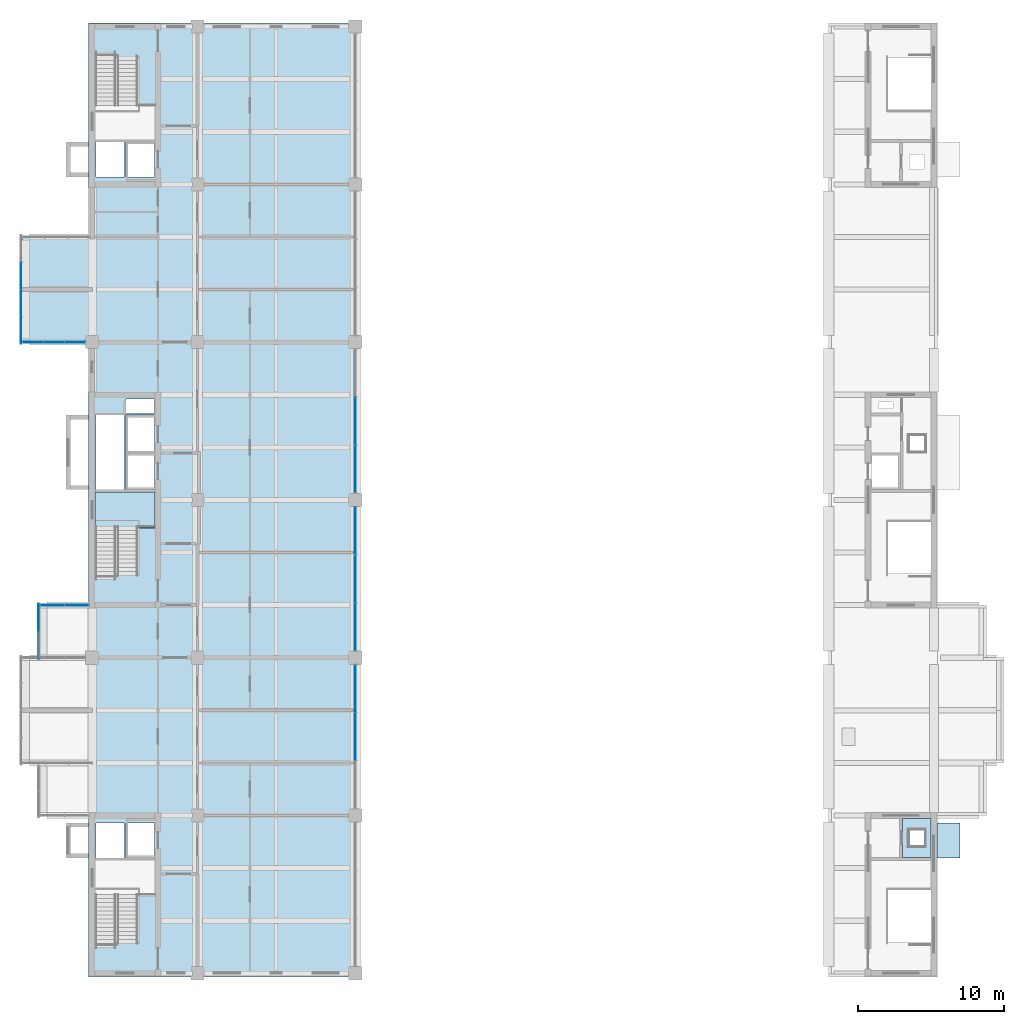
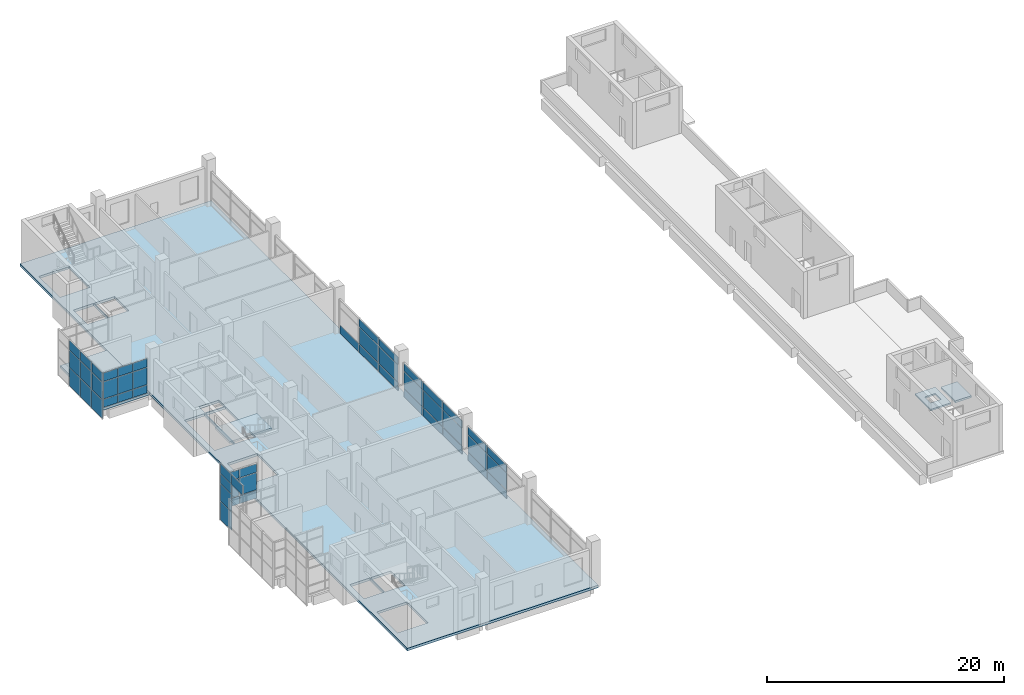
# One storey, part 13 of 23: 51 plates, 5 slabs, 8 elements without a shape of their own.
"""IFC4 building model written with IfcOpenShell, lengths in metres."""

from ifc_helpers import new_model, si_unit, direction, frame, origin, origin_2d, place, context, subcontext, project, spatial, polyline, rectangle, outline, extrude, material, layer, layer_set, type_object, element, aggregate, save


model = new_model("IFC4")

# Units and contexts
model_context = context("Model", 3, precision=1e-05, world=origin(), true_north=direction((0.0, 1.0)))
body_context = subcontext(model_context, "Body", "Model", "MODEL_VIEW")
ifc_project = project(units=[si_unit("LENGTHUNIT", "METRE"), si_unit("AREAUNIT", "SQUARE_METRE"), si_unit("VOLUMEUNIT", "CUBIC_METRE"), si_unit("PLANEANGLEUNIT", "RADIAN"), si_unit("MASSUNIT", "GRAM", prefix="KILO")], contexts=[model_context])

# Site, building, storey
site_placement = place(None, origin())
site = spatial("IfcSite", under=ifc_project, at=site_placement, CompositionType="ELEMENT")
building_placement = place(site_placement, origin())
building = spatial("IfcBuilding", under=site, at=building_placement, Name="Basin Gate Institute", CompositionType="ELEMENT")
storey_placement = place(building_placement, frame((0.0, 0.0, 46.199951171875)))
storey = spatial("IfcBuildingStorey", under=building, at=storey_placement, Name="L09", CompositionType="ELEMENT", Elevation=46.199951171875)

# Slabs
ifc_material_1 = material(Name="Concrete 40 MPa", Category="concrete")
ifc_layer_1 = layer(ifc_material_1, 0.14990234375)
ifc_layer_set_1 = layer_set([ifc_layer_1], Name="Concrete 40 MPa")
slab_type_1 = type_object("IfcSlabType", Name="Penthouse floor slab FS2 R60", PredefinedType="FLOOR", material=ifc_layer_set_1)
slab_1_placement = place(storey_placement, origin())
element("IfcSlab", 1, at=slab_1_placement, inside=storey, type_object=slab_type_1, material=ifc_layer_set_1, Name="Penthouse floor slab FS2 Exhaust Fan Room ES", PredefinedType="FLOOR", context=body_context, shape_type="SweptSolid", body=[
    extrude(outline(polyline([(116.64990234375, 43.02490234375), (118.60009765625, 43.02490234375), (118.60009765625, 45.699951171875), (116.64990234375, 45.699951171875), (116.64990234375, 43.02490234375)]), holes=[polyline([(117.125, 43.862548828125), (118.125, 43.862548828125), (118.125, 44.862548828125), (117.125, 44.862548828125), (117.125, 43.862548828125)])]), origin(), (0.0, 0.0, 1.0), 0.150146484375),
])
ifc_material_2 = material(Name="Concrete 40 MPa", Category="concrete")
ifc_layer_2 = layer(ifc_material_2, 0.199951171875)
ifc_layer_set_2 = layer_set([ifc_layer_2], Name="Concrete 40 MPa")
slab_type_2 = type_object("IfcSlabType", Name="Slab RS8 R120", PredefinedType="ROOF", material=ifc_layer_set_2)
slab_2_placement = place(storey_placement, origin())
element("IfcSlab", 2, at=slab_2_placement, inside=storey, type_object=slab_type_2, material=ifc_layer_set_2, Name="SLAB/L08/ES/SKCAP", PredefinedType="ROOF", context=body_context, shape_type="SweptSolid", body=[
    extrude(outline(polyline([(119.0, 43.0), (120.60009765625, 43.0), (120.60009765625, 45.39990234375), (119.0, 45.39990234375), (119.0, 43.0)])), origin(), (0.0, 0.0, 1.0), 0.199951171875),
])
ifc_material_3 = material(Name="Concrete 40 MPa", Category="concrete")
ifc_layer_3 = layer(ifc_material_3, 0.25)
ifc_layer_set_3 = layer_set([ifc_layer_3], Name="Concrete 40 MPa")
slab_type_3 = type_object("IfcSlabType", Name="Slab SL4 R120", PredefinedType="FLOOR", material=ifc_layer_set_3)
slab_3_placement = place(storey_placement, frame((0.0, 0.0, -0.25)))
element("IfcSlab", 3, at=slab_3_placement, inside=storey, type_object=slab_type_3, material=ifc_layer_set_3, Name="SLAB/L09/W", PredefinedType="FLOOR", context=body_context, shape_type="SweptSolid", body=[
    extrude(outline(polyline([(60.949951171875, 34.85009765625), (79.550048828125, 34.85009765625), (79.550048828125, 100.14990234375), (60.949951171875, 100.14990234375), (60.949951171875, 34.85009765625)]), holes=[polyline([(61.39990234375, 37.25), (64.35009765625, 37.25), (64.35009765625, 40.7900390625), (61.39990234375, 40.7900390625), (61.39990234375, 37.25)]), polyline([(61.39990234375, 62.449951171875), (64.35009765625, 62.449951171875), (64.35009765625, 65.989990234375), (61.39990234375, 65.989990234375), (61.39990234375, 62.449951171875)]), polyline([(61.39990234375, 94.2099609375), (64.35009765625, 94.2099609375), (64.35009765625, 97.75), (61.39990234375, 97.75), (61.39990234375, 94.2099609375)]), polyline([(61.449951171875, 43.0), (63.39990234375, 43.0), (63.39990234375, 45.39990234375), (61.449951171875, 45.39990234375), (61.449951171875, 43.0)]), polyline([(61.449951171875, 68.199951171875), (63.39990234375, 68.199951171875), (63.39990234375, 73.300048828125), (61.449951171875, 73.300048828125), (61.449951171875, 68.199951171875)]), polyline([(63.5, 73.39990234375), (65.449951171875, 73.39990234375), (65.449951171875, 74.39990234375), (63.5, 74.39990234375), (63.5, 73.39990234375)]), polyline([(61.449951171875, 89.60009765625), (63.39990234375, 89.60009765625), (63.39990234375, 92.0), (61.449951171875, 92.0), (61.449951171875, 89.60009765625)]), polyline([(63.5, 43.0), (65.449951171875, 43.0), (65.449951171875, 45.39990234375), (63.5, 45.39990234375), (63.5, 43.0)]), polyline([(65.449951171875, 68.199951171875), (63.5, 68.199951171875), (63.5, 73.300048828125), (65.449951171875, 73.300048828125), (65.449951171875, 68.199951171875)]), polyline([(63.5, 89.60009765625), (65.449951171875, 89.60009765625), (65.449951171875, 92.0), (63.5, 92.0), (63.5, 89.60009765625)])]), origin(), (0.0, 0.0, 1.0), 0.25),
])
slab_4_placement = place(storey_placement, frame((0.0, 0.0, -0.25)))
element("IfcSlab", 4, at=slab_4_placement, inside=storey, type_object=slab_type_3, material=ifc_layer_set_3, Name="SLAB/L09/WK22", PredefinedType="FLOOR", context=body_context, shape_type="SweptSolid", body=[
    extrude(outline(polyline([(60.949951171875, 78.300048828125), (56.39990234375, 78.300048828125), (56.39990234375, 85.5), (60.949951171875, 85.5), (60.949951171875, 78.300048828125)])), origin(), (0.0, 0.0, 1.0), 0.25),
])

# Curtain wall, plates
ifc_material_4 = material(Name="Aluminium-framed glazing", Category="aluminium")
ifc_layer_4 = layer(ifc_material_4, 0.199951171875)
ifc_layer_set_4 = layer_set([ifc_layer_4], Name="Atrium curtain wall CW2")
curtain_wall_type_1 = type_object("IfcCurtainWallType", Name="Atrium curtain wall CW2", PredefinedType="NOTDEFINED", material=ifc_layer_set_4)
curtain_wall_1_placement = place(storey_placement, origin())
curtain_wall_1 = element("IfcCurtainWall", 5, at=curtain_wall_1_placement, inside=storey, type_object=curtain_wall_type_1, material=ifc_layer_set_4, Name="Atrium curtain wall W wing atrium bay 2 L09", PredefinedType="NOTDEFINED")
ifc_material_5 = material(Name="Aluminium insulated spandrel panel", Category="aluminium")
ifc_layer_5 = layer(ifc_material_5, 0.050048828125)
ifc_layer_set_5 = layer_set([ifc_layer_5], Name="Spandrel panel PN2")
plate_type_1 = type_object("IfcPlateType", Name="Spandrel panel PN2", PredefinedType="CURTAIN_PANEL", material=ifc_layer_set_5)
plate_1_placement = place(storey_placement, frame((79.199951171875, 51.300048828125, 0.06005859375), z_axis=(0.0, 0.0, 1.0), x_axis=(0.0, 1.0, 0.0)))
plate_1 = element("IfcPlate", 6, at=plate_1_placement, type_object=plate_type_1, material=ifc_layer_set_5, Name="CW2 spandrel panel 2.1", PredefinedType="CURTAIN_PANEL", context=body_context, shape_type="SweptSolid", body=[
    extrude(rectangle(XDim=3.239990234375, YDim=0.050048828125, at=origin_2d()), origin(), (0.0, 0.0, 1.0), 0.81005859375),
])
plate_2_placement = place(storey_placement, frame((79.199951171875, 51.300048828125, 2.72998046875), z_axis=(0.0, 0.0, 1.0), x_axis=(0.0, 1.0, 0.0)))
plate_2 = element("IfcPlate", 7, at=plate_2_placement, type_object=plate_type_1, material=ifc_layer_set_5, Name="CW2 spandrel panel 2.3", PredefinedType="CURTAIN_PANEL", context=body_context, shape_type="SweptSolid", body=[
    extrude(rectangle(XDim=3.239990234375, YDim=0.050048828125, at=origin_2d()), origin(), (0.0, 0.0, 1.0), 0.760009765625),
])
plate_3_placement = place(storey_placement, frame((79.199951171875, 54.5849609375, 0.06005859375), z_axis=(0.0, 0.0, 1.0), x_axis=(0.0, 1.0, 0.0)))
plate_3 = element("IfcPlate", 8, at=plate_3_placement, type_object=plate_type_1, material=ifc_layer_set_5, Name="CW2 spandrel panel 3.1", PredefinedType="CURTAIN_PANEL", context=body_context, shape_type="SweptSolid", body=[
    extrude(rectangle(XDim=3.2099609375, YDim=0.050048828125, at=origin_2d()), origin(), (0.0, 0.0, 1.0), 0.81005859375),
])
plate_4_placement = place(storey_placement, frame((79.199951171875, 54.5849609375, 2.72998046875), z_axis=(0.0, 0.0, 1.0), x_axis=(0.0, 1.0, 0.0)))
plate_4 = element("IfcPlate", 9, at=plate_4_placement, type_object=plate_type_1, material=ifc_layer_set_5, Name="CW2 spandrel panel 3.3", PredefinedType="CURTAIN_PANEL", context=body_context, shape_type="SweptSolid", body=[
    extrude(rectangle(XDim=3.2099609375, YDim=0.050048828125, at=origin_2d()), origin(), (0.0, 0.0, 1.0), 0.760009765625),
])

curtain_wall_2_placement = place(storey_placement, origin())
curtain_wall_2 = element("IfcCurtainWall", 10, at=curtain_wall_2_placement, inside=storey, type_object=curtain_wall_type_1, material=ifc_layer_set_4, Name="Atrium curtain wall W wing atrium bay 3 L09", PredefinedType="NOTDEFINED")
plate_5_placement = place(storey_placement, frame((79.199951171875, 58.81494140625, 0.06005859375), z_axis=(0.0, 0.0, 1.0), x_axis=(0.0, 1.0, 0.0)))
plate_5 = element("IfcPlate", 11, at=plate_5_placement, type_object=plate_type_1, material=ifc_layer_set_5, Name="CW2 spandrel panel 1.1", PredefinedType="CURTAIN_PANEL", context=body_context, shape_type="SweptSolid", body=[
    extrude(rectangle(XDim=3.2099609375, YDim=0.050048828125, at=origin_2d()), origin(), (0.0, 0.0, 1.0), 0.81005859375),
])
plate_6_placement = place(storey_placement, frame((79.199951171875, 58.81494140625, 2.72998046875), z_axis=(0.0, 0.0, 1.0), x_axis=(0.0, 1.0, 0.0)))
plate_6 = element("IfcPlate", 12, at=plate_6_placement, type_object=plate_type_1, material=ifc_layer_set_5, Name="CW2 spandrel panel 1.3", PredefinedType="CURTAIN_PANEL", context=body_context, shape_type="SweptSolid", body=[
    extrude(rectangle(XDim=3.2099609375, YDim=0.050048828125, at=origin_2d()), origin(), (0.0, 0.0, 1.0), 0.760009765625),
])
plate_7_placement = place(storey_placement, frame((79.199951171875, 62.10009765625, 0.06005859375), z_axis=(0.0, 0.0, 1.0), x_axis=(0.0, 1.0, 0.0)))
plate_7 = element("IfcPlate", 13, at=plate_7_placement, type_object=plate_type_1, material=ifc_layer_set_5, Name="CW2 spandrel panel 2.1", PredefinedType="CURTAIN_PANEL", context=body_context, shape_type="SweptSolid", body=[
    extrude(rectangle(XDim=3.239990234375, YDim=0.050048828125, at=origin_2d()), origin(), (0.0, 0.0, 1.0), 0.81005859375),
])
plate_8_placement = place(storey_placement, frame((79.199951171875, 62.10009765625, 2.72998046875), z_axis=(0.0, 0.0, 1.0), x_axis=(0.0, 1.0, 0.0)))
plate_8 = element("IfcPlate", 14, at=plate_8_placement, type_object=plate_type_1, material=ifc_layer_set_5, Name="CW2 spandrel panel 2.3", PredefinedType="CURTAIN_PANEL", context=body_context, shape_type="SweptSolid", body=[
    extrude(rectangle(XDim=3.239990234375, YDim=0.050048828125, at=origin_2d()), origin(), (0.0, 0.0, 1.0), 0.760009765625),
])
plate_9_placement = place(storey_placement, frame((79.199951171875, 65.385009765625, 0.06005859375), z_axis=(0.0, 0.0, 1.0), x_axis=(0.0, 1.0, 0.0)))
plate_9 = element("IfcPlate", 15, at=plate_9_placement, type_object=plate_type_1, material=ifc_layer_set_5, Name="CW2 spandrel panel 3.1", PredefinedType="CURTAIN_PANEL", context=body_context, shape_type="SweptSolid", body=[
    extrude(rectangle(XDim=3.2099609375, YDim=0.050048828125, at=origin_2d()), origin(), (0.0, 0.0, 1.0), 0.81005859375),
])
plate_10_placement = place(storey_placement, frame((79.199951171875, 65.385009765625, 2.72998046875), z_axis=(0.0, 0.0, 1.0), x_axis=(0.0, 1.0, 0.0)))
plate_10 = element("IfcPlate", 16, at=plate_10_placement, type_object=plate_type_1, material=ifc_layer_set_5, Name="CW2 spandrel panel 3.3", PredefinedType="CURTAIN_PANEL", context=body_context, shape_type="SweptSolid", body=[
    extrude(rectangle(XDim=3.2099609375, YDim=0.050048828125, at=origin_2d()), origin(), (0.0, 0.0, 1.0), 0.760009765625),
])

curtain_wall_3_placement = place(storey_placement, origin())
curtain_wall_3 = element("IfcCurtainWall", 17, at=curtain_wall_3_placement, inside=storey, type_object=curtain_wall_type_1, material=ifc_layer_set_4, Name="Atrium curtain wall W wing atrium bay 4 L09", PredefinedType="NOTDEFINED")
plate_11_placement = place(storey_placement, frame((79.199951171875, 69.614990234375, 0.06005859375), z_axis=(0.0, 0.0, 1.0), x_axis=(0.0, 1.0, 0.0)))
plate_11 = element("IfcPlate", 18, at=plate_11_placement, type_object=plate_type_1, material=ifc_layer_set_5, Name="CW2 spandrel panel 1.1", PredefinedType="CURTAIN_PANEL", context=body_context, shape_type="SweptSolid", body=[
    extrude(rectangle(XDim=3.2099609375, YDim=0.050048828125, at=origin_2d()), origin(), (0.0, 0.0, 1.0), 0.81005859375),
])
plate_12_placement = place(storey_placement, frame((79.199951171875, 69.614990234375, 2.72998046875), z_axis=(0.0, 0.0, 1.0), x_axis=(0.0, 1.0, 0.0)))
plate_12 = element("IfcPlate", 19, at=plate_12_placement, type_object=plate_type_1, material=ifc_layer_set_5, Name="CW2 spandrel panel 1.3", PredefinedType="CURTAIN_PANEL", context=body_context, shape_type="SweptSolid", body=[
    extrude(rectangle(XDim=3.2099609375, YDim=0.050048828125, at=origin_2d()), origin(), (0.0, 0.0, 1.0), 0.760009765625),
])
plate_13_placement = place(storey_placement, frame((79.199951171875, 72.89990234375, 0.06005859375), z_axis=(0.0, 0.0, 1.0), x_axis=(0.0, 1.0, 0.0)))
plate_13 = element("IfcPlate", 20, at=plate_13_placement, type_object=plate_type_1, material=ifc_layer_set_5, Name="CW2 spandrel panel 2.1", PredefinedType="CURTAIN_PANEL", context=body_context, shape_type="SweptSolid", body=[
    extrude(rectangle(XDim=3.239990234375, YDim=0.050048828125, at=origin_2d()), origin(), (0.0, 0.0, 1.0), 0.81005859375),
])
plate_14_placement = place(storey_placement, frame((79.199951171875, 72.89990234375, 2.72998046875), z_axis=(0.0, 0.0, 1.0), x_axis=(0.0, 1.0, 0.0)))
plate_14 = element("IfcPlate", 21, at=plate_14_placement, type_object=plate_type_1, material=ifc_layer_set_5, Name="CW2 spandrel panel 2.3", PredefinedType="CURTAIN_PANEL", context=body_context, shape_type="SweptSolid", body=[
    extrude(rectangle(XDim=3.239990234375, YDim=0.050048828125, at=origin_2d()), origin(), (0.0, 0.0, 1.0), 0.760009765625),
])
plate_15_placement = place(storey_placement, frame((79.199951171875, 76.18505859375, 0.06005859375), z_axis=(0.0, 0.0, 1.0), x_axis=(0.0, 1.0, 0.0)))
plate_15 = element("IfcPlate", 22, at=plate_15_placement, type_object=plate_type_1, material=ifc_layer_set_5, Name="CW2 spandrel panel 3.1", PredefinedType="CURTAIN_PANEL", context=body_context, shape_type="SweptSolid", body=[
    extrude(rectangle(XDim=3.2099609375, YDim=0.050048828125, at=origin_2d()), origin(), (0.0, 0.0, 1.0), 0.81005859375),
])

ifc_material_6 = material(Name="Aluminium-framed glazing", Category="aluminium")
ifc_layer_6 = layer(ifc_material_6, 0.14990234375)
ifc_layer_set_6 = layer_set([ifc_layer_6], Name="Capsule front curtain wall CW1")
curtain_wall_type_2 = type_object("IfcCurtainWallType", Name="Capsule front curtain wall CW1", PredefinedType="NOTDEFINED", material=ifc_layer_set_6)
curtain_wall_4_placement = place(storey_placement, origin())
curtain_wall_4 = element("IfcCurtainWall", 23, at=curtain_wall_4_placement, inside=storey, type_object=curtain_wall_type_2, material=ifc_layer_set_6, Name="Capsule front curtain wall W wing capsule end L09 line 8", PredefinedType="NOTDEFINED")
plate_16_placement = place(storey_placement, frame((58.46240234375, 60.300048828125, 0.06005859375), z_axis=(0.0, 0.0, 1.0), x_axis=(1.0, 0.0, 0.0)))
plate_16 = element("IfcPlate", 24, at=plate_16_placement, type_object=plate_type_1, material=ifc_layer_set_5, Name="CW1 spandrel panel 1.1", PredefinedType="CURTAIN_PANEL", context=body_context, shape_type="SweptSolid", body=[
    extrude(rectangle(XDim=1.625, YDim=0.050048828125, at=origin_2d()), origin(), (0.0, 0.0, 1.0), 0.81005859375),
])
plate_17_placement = place(storey_placement, frame((60.137451171875, 60.300048828125, 0.06005859375), z_axis=(0.0, 0.0, 1.0), x_axis=(1.0, 0.0, 0.0)))
plate_17 = element("IfcPlate", 25, at=plate_17_placement, type_object=plate_type_1, material=ifc_layer_set_5, Name="CW1 spandrel panel 2.1", PredefinedType="CURTAIN_PANEL", context=body_context, shape_type="SweptSolid", body=[
    extrude(rectangle(XDim=1.625, YDim=0.050048828125, at=origin_2d()), origin(), (0.0, 0.0, 1.0), 0.81005859375),
])

curtain_wall_5_placement = place(storey_placement, origin())
curtain_wall_5 = element("IfcCurtainWall", 26, at=curtain_wall_5_placement, inside=storey, type_object=curtain_wall_type_2, material=ifc_layer_set_6, Name="Capsule front curtain wall W wing capsule end L09 line 13", PredefinedType="NOTDEFINED")
plate_18_placement = place(storey_placement, frame((57.137451171875, 78.300048828125, 0.06005859375), z_axis=(0.0, 0.0, 1.0), x_axis=(1.0, 0.0, 0.0)))
plate_18 = element("IfcPlate", 27, at=plate_18_placement, type_object=plate_type_1, material=ifc_layer_set_5, Name="CW1 spandrel panel 1.1", PredefinedType="CURTAIN_PANEL", context=body_context, shape_type="SweptSolid", body=[
    extrude(rectangle(XDim=1.375, YDim=0.050048828125, at=origin_2d()), origin(), (0.0, 0.0, 1.0), 0.81005859375),
])
plate_19_placement = place(storey_placement, frame((58.574951171875, 78.300048828125, 0.06005859375), z_axis=(0.0, 0.0, 1.0), x_axis=(1.0, 0.0, 0.0)))
plate_19 = element("IfcPlate", 28, at=plate_19_placement, type_object=plate_type_1, material=ifc_layer_set_5, Name="CW1 spandrel panel 2.1", PredefinedType="CURTAIN_PANEL", context=body_context, shape_type="SweptSolid", body=[
    extrude(rectangle(XDim=1.39990234375, YDim=0.050048828125, at=origin_2d()), origin(), (0.0, 0.0, 1.0), 0.81005859375),
])
plate_20_placement = place(storey_placement, frame((60.012451171875, 78.300048828125, 0.06005859375), z_axis=(0.0, 0.0, 1.0), x_axis=(1.0, 0.0, 0.0)))
plate_20 = element("IfcPlate", 29, at=plate_20_placement, type_object=plate_type_1, material=ifc_layer_set_5, Name="CW1 spandrel panel 3.1", PredefinedType="CURTAIN_PANEL", context=body_context, shape_type="SweptSolid", body=[
    extrude(rectangle(XDim=1.375, YDim=0.050048828125, at=origin_2d()), origin(), (0.0, 0.0, 1.0), 0.81005859375),
])

curtain_wall_6_placement = place(storey_placement, origin())
curtain_wall_6 = element("IfcCurtainWall", 30, at=curtain_wall_6_placement, inside=storey, type_object=curtain_wall_type_2, material=ifc_layer_set_6, Name="Capsule front curtain wall W wing capsule 1 L09 front 4", PredefinedType="NOTDEFINED")
plate_21_placement = place(storey_placement, frame((57.52490234375, 57.53759765625, 3.780029296875), z_axis=(0.0, 0.0, 1.0), x_axis=(0.0, 1.0, 0.0)))
plate_21 = element("IfcPlate", 31, at=plate_21_placement, type_object=plate_type_1, material=ifc_layer_set_5, Name="CW1 spandrel panel 1.4", PredefinedType="CURTAIN_PANEL", context=body_context, shape_type="SweptSolid", body=[
    extrude(rectangle(XDim=1.875, YDim=0.050048828125, at=origin_2d()), origin(), (0.0, 0.0, 1.0), 0.9599609375),
])
plate_22_placement = place(storey_placement, frame((57.52490234375, 59.46240234375, -0.990234375), z_axis=(0.0, 0.0, 1.0), x_axis=(0.0, 1.0, 0.0)))
plate_22 = element("IfcPlate", 32, at=plate_22_placement, type_object=plate_type_1, material=ifc_layer_set_5, Name="CW1 spandrel panel 2.1", PredefinedType="CURTAIN_PANEL", context=body_context, shape_type="SweptSolid", body=[
    extrude(rectangle(XDim=1.875, YDim=0.050048828125, at=origin_2d()), origin(), (0.0, 0.0, 1.0), 1.860107421875),
])
plate_23_placement = place(storey_placement, frame((57.52490234375, 59.46240234375, 3.780029296875), z_axis=(0.0, 0.0, 1.0), x_axis=(0.0, 1.0, 0.0)))
plate_23 = element("IfcPlate", 33, at=plate_23_placement, type_object=plate_type_1, material=ifc_layer_set_5, Name="CW1 spandrel panel 2.4", PredefinedType="CURTAIN_PANEL", context=body_context, shape_type="SweptSolid", body=[
    extrude(rectangle(XDim=1.875, YDim=0.050048828125, at=origin_2d()), origin(), (0.0, 0.0, 1.0), 0.9599609375),
])

curtain_wall_7_placement = place(storey_placement, origin())
curtain_wall_7 = element("IfcCurtainWall", 34, at=curtain_wall_7_placement, inside=storey, type_object=curtain_wall_type_2, material=ifc_layer_set_6, Name="Capsule front curtain wall W wing capsule 2 L09 front 2", PredefinedType="NOTDEFINED")
plate_24_placement = place(storey_placement, frame((56.324951171875, 79.10009765625, -0.990234375), z_axis=(0.0, 0.0, 1.0), x_axis=(0.0, 1.0, 0.0)))
plate_24 = element("IfcPlate", 35, at=plate_24_placement, type_object=plate_type_1, material=ifc_layer_set_5, Name="CW1 spandrel panel 1.1", PredefinedType="CURTAIN_PANEL", context=body_context, shape_type="SweptSolid", body=[
    extrude(rectangle(XDim=1.800048828125, YDim=0.050048828125, at=origin_2d()), origin(), (0.0, 0.0, 1.0), 1.860107421875),
])
plate_25_placement = place(storey_placement, frame((56.324951171875, 80.96240234375, -0.990234375), z_axis=(0.0, 0.0, 1.0), x_axis=(0.0, 1.0, 0.0)))
plate_25 = element("IfcPlate", 36, at=plate_25_placement, type_object=plate_type_1, material=ifc_layer_set_5, Name="CW1 spandrel panel 2.1", PredefinedType="CURTAIN_PANEL", context=body_context, shape_type="SweptSolid", body=[
    extrude(rectangle(XDim=1.824951171875, YDim=0.050048828125, at=origin_2d()), origin(), (0.0, 0.0, 1.0), 1.860107421875),
])
plate_26_placement = place(storey_placement, frame((56.324951171875, 82.83740234375, -0.990234375), z_axis=(0.0, 0.0, 1.0), x_axis=(0.0, 1.0, 0.0)))
plate_26 = element("IfcPlate", 37, at=plate_26_placement, type_object=plate_type_1, material=ifc_layer_set_5, Name="CW1 spandrel panel 3.1", PredefinedType="CURTAIN_PANEL", context=body_context, shape_type="SweptSolid", body=[
    extrude(rectangle(XDim=1.824951171875, YDim=0.050048828125, at=origin_2d()), origin(), (0.0, 0.0, 1.0), 1.860107421875),
])

# Stair, slab
ifc_material_7 = material(Name="Concrete 40 MPa", Category="concrete")
stair_type = type_object("IfcStairType", Name="Stair ST", PredefinedType="HALF_TURN_STAIR", material=ifc_material_7)
stair_placement = place(storey_placement, origin())
stair = element("IfcStair", 38, at=stair_placement, inside=storey, type_object=stair_type, material=ifc_material_7, Name="Special safe stair ST-WM L09", PredefinedType="HALF_TURN_STAIR")
ifc_material_8 = material(Name="Concrete 40 MPa", Category="concrete")
ifc_layer_7 = layer(ifc_material_8, 0.199951171875)
ifc_layer_set_7 = layer_set([ifc_layer_7], Name="Concrete 40 MPa")
slab_type_4 = type_object("IfcSlabType", Name="Stair landing LN REI 120", PredefinedType="LANDING", material=ifc_layer_set_7)
slab_5_placement = place(storey_placement, frame((0.0, 0.0, 2.288818359375)))
slab_5 = element("IfcSlab", 39, at=slab_5_placement, type_object=slab_type_4, material=ifc_layer_set_7, Name="Stair landing ST-WM-L1 L09", PredefinedType="LANDING", context=body_context, shape_type="SweptSolid", body=[
    extrude(outline(polyline([(61.39990234375, 65.570068359375), (65.5, 65.570068359375), (65.5, 68.050048828125), (61.39990234375, 68.050048828125), (61.39990234375, 65.570068359375)])), origin(), (0.0, 0.0, 1.0), 0.2001953125),
])
aggregate(stair, [slab_5])

# Plate
ifc_material_9 = material(Name="Double glazed unit")
ifc_layer_8 = layer(ifc_material_9, 0.028076171875)
ifc_layer_set_8 = layer_set([ifc_layer_8], Name="Vision panel PN1")
plate_type_2 = type_object("IfcPlateType", Name="Vision panel PN1", PredefinedType="CURTAIN_PANEL", material=ifc_layer_set_8)
plate_27_placement = place(storey_placement, frame((79.199951171875, 51.300048828125, 0.93017578125), z_axis=(0.0, 0.0, 1.0), x_axis=(0.0, 1.0, 0.0)))
plate_27 = element("IfcPlate", 40, at=plate_27_placement, type_object=plate_type_2, material=ifc_layer_set_8, Name="CW2 vision panel 2.2", PredefinedType="CURTAIN_PANEL", context=body_context, shape_type="SweptSolid", body=[
    extrude(rectangle(XDim=3.239990234375, YDim=0.028076171875, at=origin_2d()), origin(), (0.0, 0.0, 1.0), 1.739990234375),
])

plate_28_placement = place(storey_placement, frame((79.199951171875, 54.5849609375, 0.93017578125), z_axis=(0.0, 0.0, 1.0), x_axis=(0.0, 1.0, 0.0)))
plate_28 = element("IfcPlate", 41, at=plate_28_placement, type_object=plate_type_2, material=ifc_layer_set_8, Name="CW2 vision panel 3.2", PredefinedType="CURTAIN_PANEL", context=body_context, shape_type="SweptSolid", body=[
    extrude(rectangle(XDim=3.2099609375, YDim=0.028076171875, at=origin_2d()), origin(), (0.0, 0.0, 1.0), 1.739990234375),
])

aggregate(curtain_wall_1, [plate_1, plate_27, plate_2, plate_3, plate_28, plate_4])

plate_29_placement = place(storey_placement, frame((79.199951171875, 58.81494140625, 0.93017578125), z_axis=(0.0, 0.0, 1.0), x_axis=(0.0, 1.0, 0.0)))
plate_29 = element("IfcPlate", 42, at=plate_29_placement, type_object=plate_type_2, material=ifc_layer_set_8, Name="CW2 vision panel 1.2", PredefinedType="CURTAIN_PANEL", context=body_context, shape_type="SweptSolid", body=[
    extrude(rectangle(XDim=3.2099609375, YDim=0.028076171875, at=origin_2d()), origin(), (0.0, 0.0, 1.0), 1.739990234375),
])

plate_30_placement = place(storey_placement, frame((79.199951171875, 62.10009765625, 0.93017578125), z_axis=(0.0, 0.0, 1.0), x_axis=(0.0, 1.0, 0.0)))
plate_30 = element("IfcPlate", 43, at=plate_30_placement, type_object=plate_type_2, material=ifc_layer_set_8, Name="CW2 vision panel 2.2", PredefinedType="CURTAIN_PANEL", context=body_context, shape_type="SweptSolid", body=[
    extrude(rectangle(XDim=3.239990234375, YDim=0.028076171875, at=origin_2d()), origin(), (0.0, 0.0, 1.0), 1.739990234375),
])

plate_31_placement = place(storey_placement, frame((79.199951171875, 65.385009765625, 0.93017578125), z_axis=(0.0, 0.0, 1.0), x_axis=(0.0, 1.0, 0.0)))
plate_31 = element("IfcPlate", 44, at=plate_31_placement, type_object=plate_type_2, material=ifc_layer_set_8, Name="CW2 vision panel 3.2", PredefinedType="CURTAIN_PANEL", context=body_context, shape_type="SweptSolid", body=[
    extrude(rectangle(XDim=3.2099609375, YDim=0.028076171875, at=origin_2d()), origin(), (0.0, 0.0, 1.0), 1.739990234375),
])

aggregate(curtain_wall_2, [plate_5, plate_29, plate_6, plate_7, plate_30, plate_8, plate_9, plate_31, plate_10])

plate_32_placement = place(storey_placement, frame((79.199951171875, 69.614990234375, 0.93017578125), z_axis=(0.0, 0.0, 1.0), x_axis=(0.0, 1.0, 0.0)))
plate_32 = element("IfcPlate", 45, at=plate_32_placement, type_object=plate_type_2, material=ifc_layer_set_8, Name="CW2 vision panel 1.2", PredefinedType="CURTAIN_PANEL", context=body_context, shape_type="SweptSolid", body=[
    extrude(rectangle(XDim=3.2099609375, YDim=0.028076171875, at=origin_2d()), origin(), (0.0, 0.0, 1.0), 1.739990234375),
])

plate_33_placement = place(storey_placement, frame((79.199951171875, 72.89990234375, 0.93017578125), z_axis=(0.0, 0.0, 1.0), x_axis=(0.0, 1.0, 0.0)))
plate_33 = element("IfcPlate", 46, at=plate_33_placement, type_object=plate_type_2, material=ifc_layer_set_8, Name="CW2 vision panel 2.2", PredefinedType="CURTAIN_PANEL", context=body_context, shape_type="SweptSolid", body=[
    extrude(rectangle(XDim=3.239990234375, YDim=0.028076171875, at=origin_2d()), origin(), (0.0, 0.0, 1.0), 1.739990234375),
])

aggregate(curtain_wall_3, [plate_11, plate_32, plate_12, plate_13, plate_33, plate_14, plate_15])

plate_34_placement = place(storey_placement, frame((58.46240234375, 60.300048828125, 0.93017578125), z_axis=(0.0, 0.0, 1.0), x_axis=(1.0, 0.0, 0.0)))
plate_34 = element("IfcPlate", 47, at=plate_34_placement, type_object=plate_type_2, material=ifc_layer_set_8, Name="CW1 vision panel 1.2", PredefinedType="CURTAIN_PANEL", context=body_context, shape_type="SweptSolid", body=[
    extrude(rectangle(XDim=1.625, YDim=0.028076171875, at=origin_2d()), origin(), (0.0, 0.0, 1.0), 1.739990234375),
])

plate_35_placement = place(storey_placement, frame((58.46240234375, 60.300048828125, 2.72998046875), z_axis=(0.0, 0.0, 1.0), x_axis=(1.0, 0.0, 0.0)))
plate_35 = element("IfcPlate", 48, at=plate_35_placement, type_object=plate_type_2, material=ifc_layer_set_8, Name="CW1 vision panel 1.3", PredefinedType="CURTAIN_PANEL", context=body_context, shape_type="SweptSolid", body=[
    extrude(rectangle(XDim=1.625, YDim=0.028076171875, at=origin_2d()), origin(), (0.0, 0.0, 1.0), 0.860107421875),
])

plate_36_placement = place(storey_placement, frame((60.137451171875, 60.300048828125, 0.93017578125), z_axis=(0.0, 0.0, 1.0), x_axis=(1.0, 0.0, 0.0)))
plate_36 = element("IfcPlate", 49, at=plate_36_placement, type_object=plate_type_2, material=ifc_layer_set_8, Name="CW1 vision panel 2.2", PredefinedType="CURTAIN_PANEL", context=body_context, shape_type="SweptSolid", body=[
    extrude(rectangle(XDim=1.625, YDim=0.028076171875, at=origin_2d()), origin(), (0.0, 0.0, 1.0), 1.739990234375),
])

plate_37_placement = place(storey_placement, frame((60.137451171875, 60.300048828125, 2.72998046875), z_axis=(0.0, 0.0, 1.0), x_axis=(1.0, 0.0, 0.0)))
plate_37 = element("IfcPlate", 50, at=plate_37_placement, type_object=plate_type_2, material=ifc_layer_set_8, Name="CW1 vision panel 2.3", PredefinedType="CURTAIN_PANEL", context=body_context, shape_type="SweptSolid", body=[
    extrude(rectangle(XDim=1.625, YDim=0.028076171875, at=origin_2d()), origin(), (0.0, 0.0, 1.0), 0.860107421875),
])

aggregate(curtain_wall_4, [plate_16, plate_34, plate_35, plate_17, plate_36, plate_37])

plate_38_placement = place(storey_placement, frame((57.137451171875, 78.300048828125, 0.93017578125), z_axis=(0.0, 0.0, 1.0), x_axis=(1.0, 0.0, 0.0)))
plate_38 = element("IfcPlate", 51, at=plate_38_placement, type_object=plate_type_2, material=ifc_layer_set_8, Name="CW1 vision panel 1.2", PredefinedType="CURTAIN_PANEL", context=body_context, shape_type="SweptSolid", body=[
    extrude(rectangle(XDim=1.375, YDim=0.028076171875, at=origin_2d()), origin(), (0.0, 0.0, 1.0), 1.739990234375),
])

plate_39_placement = place(storey_placement, frame((57.137451171875, 78.300048828125, 2.72998046875), z_axis=(0.0, 0.0, 1.0), x_axis=(1.0, 0.0, 0.0)))
plate_39 = element("IfcPlate", 52, at=plate_39_placement, type_object=plate_type_2, material=ifc_layer_set_8, Name="CW1 vision panel 1.3", PredefinedType="CURTAIN_PANEL", context=body_context, shape_type="SweptSolid", body=[
    extrude(rectangle(XDim=1.375, YDim=0.028076171875, at=origin_2d()), origin(), (0.0, 0.0, 1.0), 0.860107421875),
])

plate_40_placement = place(storey_placement, frame((58.574951171875, 78.300048828125, 0.93017578125), z_axis=(0.0, 0.0, 1.0), x_axis=(1.0, 0.0, 0.0)))
plate_40 = element("IfcPlate", 53, at=plate_40_placement, type_object=plate_type_2, material=ifc_layer_set_8, Name="CW1 vision panel 2.2", PredefinedType="CURTAIN_PANEL", context=body_context, shape_type="SweptSolid", body=[
    extrude(rectangle(XDim=1.39990234375, YDim=0.028076171875, at=origin_2d()), origin(), (0.0, 0.0, 1.0), 1.739990234375),
])

plate_41_placement = place(storey_placement, frame((58.574951171875, 78.300048828125, 2.72998046875), z_axis=(0.0, 0.0, 1.0), x_axis=(1.0, 0.0, 0.0)))
plate_41 = element("IfcPlate", 54, at=plate_41_placement, type_object=plate_type_2, material=ifc_layer_set_8, Name="CW1 vision panel 2.3", PredefinedType="CURTAIN_PANEL", context=body_context, shape_type="SweptSolid", body=[
    extrude(rectangle(XDim=1.39990234375, YDim=0.028076171875, at=origin_2d()), origin(), (0.0, 0.0, 1.0), 0.860107421875),
])

plate_42_placement = place(storey_placement, frame((60.012451171875, 78.300048828125, 0.93017578125), z_axis=(0.0, 0.0, 1.0), x_axis=(1.0, 0.0, 0.0)))
plate_42 = element("IfcPlate", 55, at=plate_42_placement, type_object=plate_type_2, material=ifc_layer_set_8, Name="CW1 vision panel 3.2", PredefinedType="CURTAIN_PANEL", context=body_context, shape_type="SweptSolid", body=[
    extrude(rectangle(XDim=1.375, YDim=0.028076171875, at=origin_2d()), origin(), (0.0, 0.0, 1.0), 1.739990234375),
])

plate_43_placement = place(storey_placement, frame((60.012451171875, 78.300048828125, 2.72998046875), z_axis=(0.0, 0.0, 1.0), x_axis=(1.0, 0.0, 0.0)))
plate_43 = element("IfcPlate", 56, at=plate_43_placement, type_object=plate_type_2, material=ifc_layer_set_8, Name="CW1 vision panel 3.3", PredefinedType="CURTAIN_PANEL", context=body_context, shape_type="SweptSolid", body=[
    extrude(rectangle(XDim=1.375, YDim=0.028076171875, at=origin_2d()), origin(), (0.0, 0.0, 1.0), 0.860107421875),
])

aggregate(curtain_wall_5, [plate_18, plate_38, plate_39, plate_19, plate_40, plate_41, plate_20, plate_42, plate_43])

plate_44_placement = place(storey_placement, frame((57.52490234375, 59.46240234375, 0.93017578125), z_axis=(0.0, 0.0, 1.0), x_axis=(0.0, 1.0, 0.0)))
plate_44 = element("IfcPlate", 57, at=plate_44_placement, type_object=plate_type_2, material=ifc_layer_set_8, Name="CW1 vision panel 2.2", PredefinedType="CURTAIN_PANEL", context=body_context, shape_type="SweptSolid", body=[
    extrude(rectangle(XDim=1.875, YDim=0.028076171875, at=origin_2d()), origin(), (0.0, 0.0, 1.0), 1.739990234375),
])

plate_45_placement = place(storey_placement, frame((57.52490234375, 59.46240234375, 2.72998046875), z_axis=(0.0, 0.0, 1.0), x_axis=(0.0, 1.0, 0.0)))
plate_45 = element("IfcPlate", 58, at=plate_45_placement, type_object=plate_type_2, material=ifc_layer_set_8, Name="CW1 vision panel 2.3", PredefinedType="CURTAIN_PANEL", context=body_context, shape_type="SweptSolid", body=[
    extrude(rectangle(XDim=1.875, YDim=0.028076171875, at=origin_2d()), origin(), (0.0, 0.0, 1.0), 0.989990234375),
])

aggregate(curtain_wall_6, [plate_21, plate_22, plate_44, plate_45, plate_23])

plate_46_placement = place(storey_placement, frame((56.324951171875, 79.10009765625, 0.93017578125), z_axis=(0.0, 0.0, 1.0), x_axis=(0.0, 1.0, 0.0)))
plate_46 = element("IfcPlate", 59, at=plate_46_placement, type_object=plate_type_2, material=ifc_layer_set_8, Name="CW1 vision panel 1.2", PredefinedType="CURTAIN_PANEL", context=body_context, shape_type="SweptSolid", body=[
    extrude(rectangle(XDim=1.800048828125, YDim=0.028076171875, at=origin_2d()), origin(), (0.0, 0.0, 1.0), 1.739990234375),
])

plate_47_placement = place(storey_placement, frame((56.324951171875, 79.10009765625, 2.72998046875), z_axis=(0.0, 0.0, 1.0), x_axis=(0.0, 1.0, 0.0)))
plate_47 = element("IfcPlate", 60, at=plate_47_placement, type_object=plate_type_2, material=ifc_layer_set_8, Name="CW1 vision panel 1.3", PredefinedType="CURTAIN_PANEL", context=body_context, shape_type="SweptSolid", body=[
    extrude(rectangle(XDim=1.800048828125, YDim=0.028076171875, at=origin_2d()), origin(), (0.0, 0.0, 1.0), 0.9599609375),
])

plate_48_placement = place(storey_placement, frame((56.324951171875, 80.96240234375, 0.93017578125), z_axis=(0.0, 0.0, 1.0), x_axis=(0.0, 1.0, 0.0)))
plate_48 = element("IfcPlate", 61, at=plate_48_placement, type_object=plate_type_2, material=ifc_layer_set_8, Name="CW1 vision panel 2.2", PredefinedType="CURTAIN_PANEL", context=body_context, shape_type="SweptSolid", body=[
    extrude(rectangle(XDim=1.824951171875, YDim=0.028076171875, at=origin_2d()), origin(), (0.0, 0.0, 1.0), 1.739990234375),
])

plate_49_placement = place(storey_placement, frame((56.324951171875, 80.96240234375, 2.72998046875), z_axis=(0.0, 0.0, 1.0), x_axis=(0.0, 1.0, 0.0)))
plate_49 = element("IfcPlate", 62, at=plate_49_placement, type_object=plate_type_2, material=ifc_layer_set_8, Name="CW1 vision panel 2.3", PredefinedType="CURTAIN_PANEL", context=body_context, shape_type="SweptSolid", body=[
    extrude(rectangle(XDim=1.824951171875, YDim=0.028076171875, at=origin_2d()), origin(), (0.0, 0.0, 1.0), 0.9599609375),
])

plate_50_placement = place(storey_placement, frame((56.324951171875, 82.83740234375, 0.93017578125), z_axis=(0.0, 0.0, 1.0), x_axis=(0.0, 1.0, 0.0)))
plate_50 = element("IfcPlate", 63, at=plate_50_placement, type_object=plate_type_2, material=ifc_layer_set_8, Name="CW1 vision panel 3.2", PredefinedType="CURTAIN_PANEL", context=body_context, shape_type="SweptSolid", body=[
    extrude(rectangle(XDim=1.824951171875, YDim=0.028076171875, at=origin_2d()), origin(), (0.0, 0.0, 1.0), 1.739990234375),
])

plate_51_placement = place(storey_placement, frame((56.324951171875, 82.83740234375, 2.72998046875), z_axis=(0.0, 0.0, 1.0), x_axis=(0.0, 1.0, 0.0)))
plate_51 = element("IfcPlate", 64, at=plate_51_placement, type_object=plate_type_2, material=ifc_layer_set_8, Name="CW1 vision panel 3.3", PredefinedType="CURTAIN_PANEL", context=body_context, shape_type="SweptSolid", body=[
    extrude(rectangle(XDim=1.824951171875, YDim=0.028076171875, at=origin_2d()), origin(), (0.0, 0.0, 1.0), 0.9599609375),
])

aggregate(curtain_wall_7, [plate_24, plate_46, plate_47, plate_25, plate_48, plate_49, plate_26, plate_50, plate_51])

save(model, "model.ifc")
